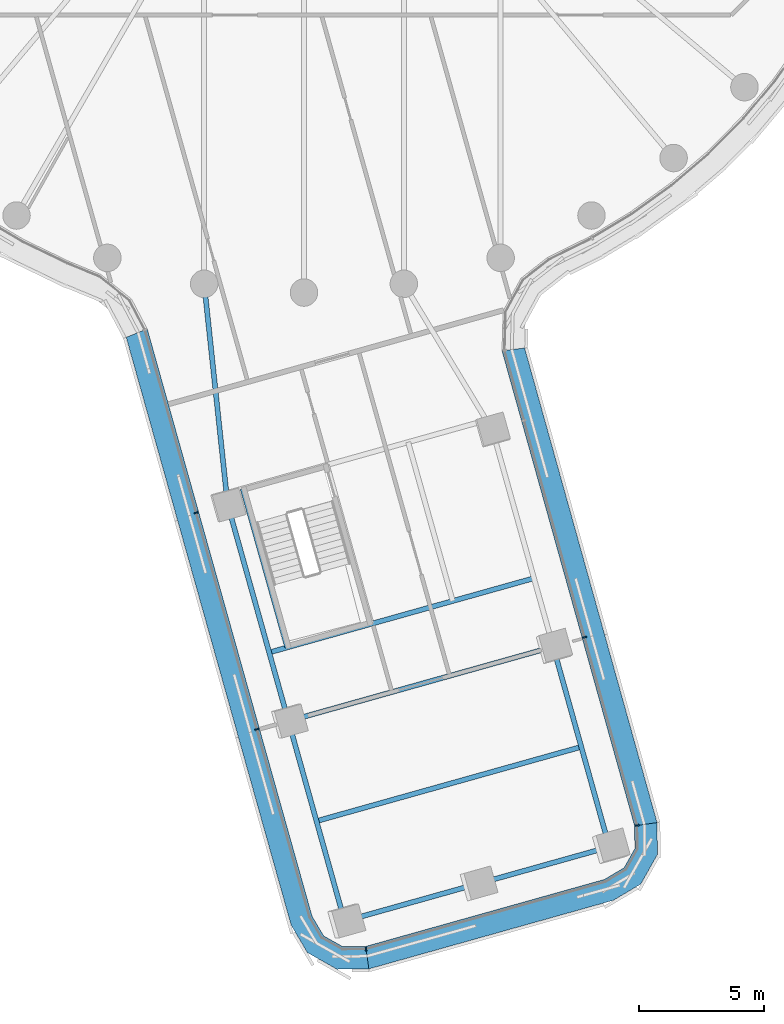
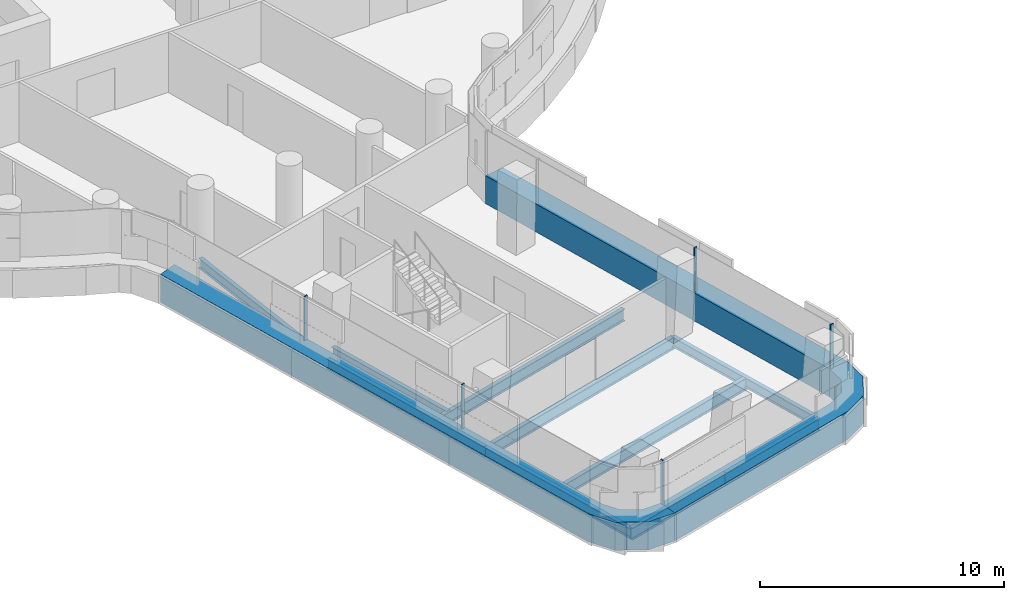
# One storey, part 2 of 30: 10 beams, 8 members, 3 elements without a shape of their own.
"""IFC4 building model written with IfcOpenShell, lengths in metres."""

from ifc_helpers import new_model, si_unit, direction, frame, origin, origin_2d, place, context, subcontext, project, spatial, polyline, rectangle, i_section, outline, extrude, material, layer, layer_set, material_profile, profile_set, type_object, element, aggregate, save


model = new_model("IFC4")

# Units and contexts
model_context = context("Model", 3, precision=1e-05, world=origin(), true_north=direction((0.0, 1.0)))
body_context = subcontext(model_context, "Body", "Model", "MODEL_VIEW")
ifc_project = project(units=[si_unit("LENGTHUNIT", "METRE"), si_unit("AREAUNIT", "SQUARE_METRE"), si_unit("VOLUMEUNIT", "CUBIC_METRE"), si_unit("PLANEANGLEUNIT", "RADIAN"), si_unit("MASSUNIT", "GRAM", prefix="KILO")], contexts=[model_context])

# Site, building, storey
site_placement = place(None, origin())
site = spatial("IfcSite", under=ifc_project, at=site_placement, CompositionType="ELEMENT")
building_placement = place(site_placement, origin())
building = spatial("IfcBuilding", under=site, at=building_placement, Name="Tamarind Cross Interchange Tower", CompositionType="ELEMENT")
storey_placement = place(building_placement, frame((0.0, 0.0, 91.0)))
storey = spatial("IfcBuildingStorey", under=building, at=storey_placement, Name="L21", CompositionType="ELEMENT", Elevation=91.0)

# Beams
ifc_material_1 = material(Name="Steel Q355B", Category="steel")
ifc_material_profile_1 = material_profile(ifc_material_1, i_section(OverallWidth=0.198974609375, OverallDepth=0.49609375, WebThickness=0.009033203125, FlangeThickness=0.013916015625, FilletRadius=0.012939453125, at=origin_2d()), Name="HN 496x199x9x14")
ifc_profile_set_1 = profile_set([ifc_material_profile_1], Name="Steel Q355B")
beam_type_1 = type_object("IfcBeamType", Name="Composite beam HN 496x199x9x14 Q355B", PredefinedType="BEAM", material=ifc_profile_set_1)
beam_1_placement = place(storey_placement, frame((1.62353515625, -48.147216796875, -0.387939453125), z_axis=(-0.270137474776, 0.962821761658, 0.0), x_axis=(-0.962821761658, -0.270137474776, 0.0)))
element("IfcBeam", 1, at=beam_1_placement, inside=storey, type_object=beam_type_1, Name="Beam S-edgeem5", PredefinedType="BEAM", context=body_context, shape_type="SweptSolid", body=[
    extrude(i_section(OverallWidth=0.198974609375, OverallDepth=0.49609375, WebThickness=0.009033203125, FlangeThickness=0.013916015625, FilletRadius=0.012939453125, at=origin_2d()), origin(), (0.0, 0.0, 1.0), 8.313720703125),
])
beam_2_placement = place(storey_placement, frame((-0.622314453125, -40.142578125, -0.387939453125), z_axis=(-0.270124927, 0.96282528208, 0.0), x_axis=(-0.96282528208, -0.270124927, 0.0)))
element("IfcBeam", 2, at=beam_2_placement, inside=storey, type_object=beam_type_1, Name="Beam S-edgeem6", PredefinedType="BEAM", context=body_context, shape_type="SweptSolid", body=[
    extrude(i_section(OverallWidth=0.198974609375, OverallDepth=0.49609375, WebThickness=0.009033203125, FlangeThickness=0.013916015625, FilletRadius=0.012939453125, at=origin_2d()), origin(), (0.0, 0.0, 1.0), 9.0),
])
beam_3_placement = place(storey_placement, frame((12.214599609375, -45.17578125, -0.387939453125), z_axis=(-0.270137474776, 0.962821761658, 0.0), x_axis=(-0.962821761658, -0.270137474776, 0.0)))
element("IfcBeam", 3, at=beam_3_placement, inside=storey, type_object=beam_type_1, Name="Beam S-edgeep2", PredefinedType="BEAM", context=body_context, shape_type="SweptSolid", body=[
    extrude(i_section(OverallWidth=0.198974609375, OverallDepth=0.49609375, WebThickness=0.009033203125, FlangeThickness=0.013916015625, FilletRadius=0.012939453125, at=origin_2d()), origin(), (0.0, 0.0, 1.0), 8.313720703125),
])
beam_4_placement = place(storey_placement, frame((-3.053466796875, -31.47705078125, -0.387939453125), z_axis=(-0.105947497723, 0.994371725124, 0.0), x_axis=(-0.994371725124, -0.105947497723, 0.0)))
element("IfcBeam", 4, at=beam_4_placement, inside=storey, type_object=beam_type_1, Name="Beam S-linkem", PredefinedType="BEAM", context=body_context, shape_type="SweptSolid", body=[
    extrude(i_section(OverallWidth=0.198974609375, OverallDepth=0.49609375, WebThickness=0.009033203125, FlangeThickness=0.013916015625, FilletRadius=0.012939453125, at=origin_2d()), origin(), (0.0, 0.0, 1.0), 8.87646484375),
])
beam_5_placement = place(storey_placement, frame((-2.452880859375, -30.84130859375, -0.387939453125), z_axis=(0.270149909558, -0.962818272763, 0.0), x_axis=(0.962818272763, 0.270149909558, 0.0)))
element("IfcBeam", 5, at=beam_5_placement, inside=storey, type_object=beam_type_1, Name="Beam S-tr0", PredefinedType="BEAM", context=body_context, shape_type="SweptSolid", body=[
    extrude(i_section(OverallWidth=0.198974609375, OverallDepth=0.49609375, WebThickness=0.009033203125, FlangeThickness=0.013916015625, FilletRadius=0.012939453125, at=origin_2d()), origin(), (0.0, 0.0, 1.0), 6.599853515625),
])
ifc_material_profile_2 = material_profile(ifc_material_1, i_section(OverallWidth=0.199951171875, OverallDepth=0.60009765625, WebThickness=0.010986328125, FlangeThickness=0.01708984375, FilletRadius=0.012939453125, at=origin_2d()), Name="HN 600x200x11x17")
ifc_profile_set_2 = profile_set([ifc_material_profile_2], Name="Steel Q355B")
beam_type_2 = type_object("IfcBeamType", Name="Composite beam HN 600x200x11x17 Q355B", PredefinedType="BEAM", material=ifc_profile_set_2)
for number, where, z_axis, x_axis, name in (
    (6, (1.62353515625, -48.147216796875, -0.43994140625), (0.962816348398, 0.270156767928, 0.0), (-0.270156767928, 0.962816348398, 0.0), "Beam S-tip0"),
    (7, (6.9189453125, -46.661376953125, -0.43994140625), (0.962831132592, 0.270104072741, 0.0), (-0.270104072741, 0.962831132592, 0.0), "Beam S-tip1"),
):
    element("IfcBeam", number, at=place(storey_placement, frame(where, z_axis=z_axis, x_axis=x_axis)), inside=storey, type_object=beam_type_2, Name=name, PredefinedType="BEAM", context=body_context, shape_type="SweptSolid", body=[
        extrude(i_section(OverallWidth=0.199951171875, OverallDepth=0.60009765625, WebThickness=0.010986328125, FlangeThickness=0.01708984375, FilletRadius=0.012939453125, at=origin_2d()), origin(), (0.0, 0.0, 1.0), 5.5),
    ])
for number, where, z_axis, x_axis, name in (
    (8, (-1.39208984375, -37.3984375, -0.43994140625), (0.962823740969, 0.27013042003, 0.0), (-0.27013042003, 0.962823740969, 0.0), "Beam S-x364"),
    (9, (-0.622314453125, -40.142578125, -0.43994140625), (0.962823740969, 0.27013042003, 0.0), (-0.27013042003, 0.962823740969, 0.0), "Beam S-x393"),
    (10, (0.50048828125, -44.144775390625, -0.43994140625), (0.962823740969, 0.27013042003, 0.0), (-0.27013042003, 0.962823740969, 0.0), "Beam S-x435"),
):
    element("IfcBeam", number, at=place(storey_placement, frame(where, z_axis=z_axis, x_axis=x_axis)), inside=storey, type_object=beam_type_2, Name=name, PredefinedType="BEAM", context=body_context, shape_type="SweptSolid", body=[
        extrude(i_section(OverallWidth=0.199951171875, OverallDepth=0.60009765625, WebThickness=0.010986328125, FlangeThickness=0.01708984375, FilletRadius=0.012939453125, at=origin_2d()), origin(), (0.0, 0.0, 1.0), 11.0),
    ])

# Curtain wall, member
ifc_material_2 = material(Name="Aluminium 6063-T6", Category="aluminium")
ifc_layer = layer(ifc_material_2, 0.159912109375)
ifc_layer_set = layer_set([ifc_layer], Name="Aluminium 6063-T6")
curtain_wall_type = type_object("IfcCurtainWallType", Name="Office curtain wall, 9.0 m bays", PredefinedType="NOTDEFINED", material=ifc_layer_set)
curtain_wall_1_placement = place(storey_placement, origin())
curtain_wall_1 = element("IfcCurtainWall", 11, at=curtain_wall_1_placement, inside=storey, type_object=curtain_wall_type, Name="CWS-L21-00", PredefinedType="NOTDEFINED")
ifc_material_3 = material(Name="Aluminium and insulated spandrel panel", Category="aluminium")
member_type_1 = type_object("IfcMemberType", Name="Floor-edge blade transom", PredefinedType="USERDEFINED", material=ifc_material_3)
member_1_placement = place(storey_placement, origin())
member_1 = element("IfcMember", 12, at=member_1_placement, type_object=member_type_1, Name="CWT-L21-00", ObjectType="TRANSOM", PredefinedType="USERDEFINED", context=body_context, shape_type="SweptSolid", body=[
    extrude(outline(polyline([(2.467041015625, -49.15673828125), (12.019287109375, -46.476806640625), (12.806640625, -46.009765625), (13.23486328125, -45.24755859375), (13.22412109375, -44.33203125), (14.122802734375, -44.20361328125), (14.1376953125, -45.47802734375), (13.47314453125, -46.660888671875), (12.37646484375, -47.311279296875), (2.59619140625, -50.055419921875), (2.467041015625, -49.15673828125)])), origin(), (0.0, 0.0, 1.0), 1.39990234375),
])

curtain_wall_2_placement = place(storey_placement, origin())
curtain_wall_2 = element("IfcCurtainWall", 13, at=curtain_wall_2_placement, inside=storey, type_object=curtain_wall_type, Name="CWS-L21-01", PredefinedType="NOTDEFINED")
member_2_placement = place(storey_placement, origin())
member_2 = element("IfcMember", 14, at=member_2_placement, type_object=member_type_1, Name="CWT-L21-01", ObjectType="TRANSOM", PredefinedType="USERDEFINED", context=body_context, shape_type="SweptSolid", body=[
    extrude(outline(polyline([(13.22412109375, -44.33203125), (7.920166015625, -25.32861328125), (8.82373046875, -25.218017578125), (14.122802734375, -44.20361328125), (13.22412109375, -44.33203125)])), origin(), (0.0, 0.0, 1.0), 1.39990234375),
])

curtain_wall_3_placement = place(storey_placement, origin())
curtain_wall_3 = element("IfcCurtainWall", 15, at=curtain_wall_3_placement, inside=storey, type_object=curtain_wall_type, Name="CWS-L21-15", PredefinedType="NOTDEFINED")
member_3_placement = place(storey_placement, origin())
member_3 = element("IfcMember", 16, at=member_3_placement, type_object=member_type_1, Name="CWT-L21-15", ObjectType="TRANSOM", PredefinedType="USERDEFINED", context=body_context, shape_type="SweptSolid", body=[
    extrude(outline(polyline([(-6.27001953125, -24.455078125), (0.322265625, -47.951904296875), (0.789306640625, -48.7392578125), (1.5517578125, -49.16748046875), (2.467041015625, -49.15673828125), (2.59619140625, -50.055419921875), (1.321044921875, -50.0703125), (0.13818359375, -49.40576171875), (-0.51220703125, -48.30908203125), (-7.11083984375, -24.78955078125), (-6.27001953125, -24.455078125)])), origin(), (0.0, 0.0, 1.0), 1.39990234375),
])

# Member
ifc_material_profile_3 = material_profile(ifc_material_2, rectangle(XDim=0.06005859375, YDim=0.159912109375, at=origin_2d()), Name="Mullion CW1")
ifc_profile_set_3 = profile_set([ifc_material_profile_3], Name="Aluminium 6063-T6")
member_type_2 = type_object("IfcMemberType", Name="Mullion CW1", PredefinedType="MULLION", material=ifc_profile_set_3)
member_4_placement = place(storey_placement, frame((2.4814453125, -49.256591796875, 1.39990234375), z_axis=(0.0, 0.0, 1.0), x_axis=(0.989845814362, 0.142145220779, 0.0)))
member_4 = element("IfcMember", 17, at=member_4_placement, type_object=member_type_2, Name="CWM-L21-00-00", PredefinedType="MULLION", context=body_context, shape_type="SweptSolid", body=[
    extrude(rectangle(XDim=0.06005859375, YDim=0.159912109375, at=origin_2d()), origin(), (0.0, 0.0, 1.0), 2.210205078125),
])

aggregate(curtain_wall_1, [member_4, member_1])

member_5_placement = place(storey_placement, frame((13.323974609375, -44.317626953125, 1.39990234375), z_axis=(0.0, 0.0, 1.0), x_axis=(-0.141477442021, 0.989941479785, 0.0)))
member_5 = element("IfcMember", 18, at=member_5_placement, type_object=member_type_2, Name="CWM-L21-01-00", PredefinedType="MULLION", context=body_context, shape_type="SweptSolid", body=[
    extrude(rectangle(XDim=0.06005859375, YDim=0.159912109375, at=origin_2d()), origin(), (0.0, 0.0, 1.0), 2.210205078125),
])

member_6_placement = place(storey_placement, frame((11.22314453125, -36.7900390625, 1.39990234375), z_axis=(0.0, 0.0, 1.0), x_axis=(-0.26883067316, 0.963187452767, 0.0)))
member_6 = element("IfcMember", 19, at=member_6_placement, type_object=member_type_2, Name="CWM-L21-01-01", PredefinedType="MULLION", context=body_context, shape_type="SweptSolid", body=[
    extrude(rectangle(XDim=0.06005859375, YDim=0.159912109375, at=origin_2d()), origin(), (0.0, 0.0, 1.0), 2.210205078125),
])

aggregate(curtain_wall_2, [member_5, member_6, member_2])

member_7_placement = place(storey_placement, frame((-4.311279296875, -31.806396484375, 1.39990234375), z_axis=(0.0, 0.0, 1.0), x_axis=(0.270129953744, -0.962823871791, 0.0)))
member_7 = element("IfcMember", 20, at=member_7_placement, type_object=member_type_2, Name="CWM-L21-15-01", PredefinedType="MULLION", context=body_context, shape_type="SweptSolid", body=[
    extrude(rectangle(XDim=0.06005859375, YDim=0.159912109375, at=origin_2d()), origin(), (0.0, 0.0, 1.0), 2.210205078125),
])

member_8_placement = place(storey_placement, frame((-1.880615234375, -40.469970703125, 1.39990234375), z_axis=(0.0, 0.0, 1.0), x_axis=(0.270129953744, -0.962823871791, 0.0)))
member_8 = element("IfcMember", 21, at=member_8_placement, type_object=member_type_2, Name="CWM-L21-15-02", PredefinedType="MULLION", context=body_context, shape_type="SweptSolid", body=[
    extrude(rectangle(XDim=0.06005859375, YDim=0.159912109375, at=origin_2d()), origin(), (0.0, 0.0, 1.0), 2.210205078125),
])

aggregate(curtain_wall_3, [member_7, member_8, member_3])

save(model, "model.ifc")
